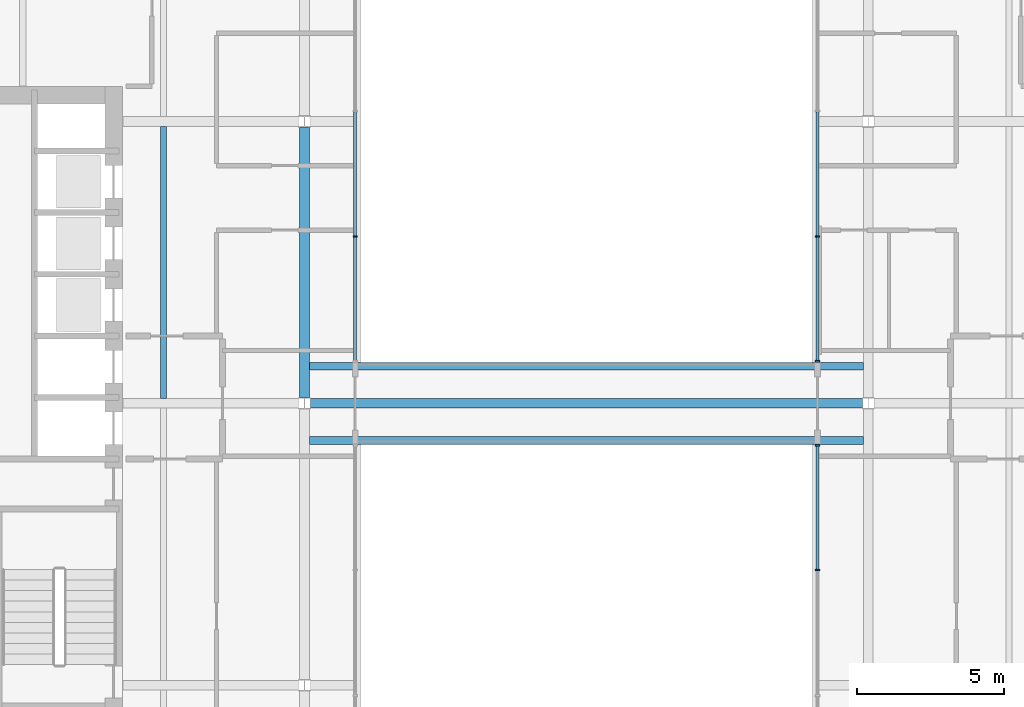
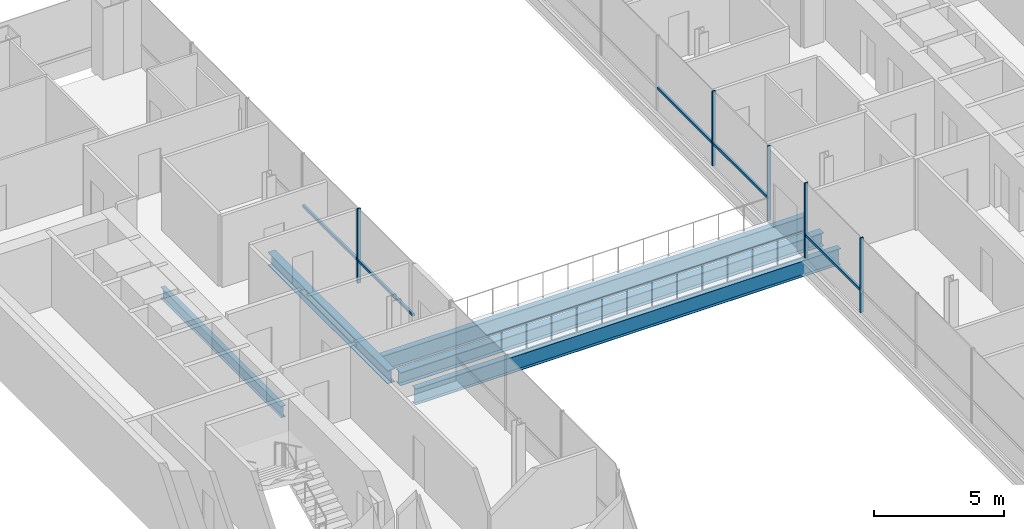
# One storey, part 4 of 16: 10 members, 5 beams, 3 elements without a shape of their own.
"""IFC4 building model written with IfcOpenShell, lengths in metres."""

from ifc_helpers import new_model, si_unit, direction, frame, origin, origin_2d, place, context, subcontext, project, spatial, rectangle, i_section, extrude, material, material_profile, profile_set, type_object, element, aggregate, save


model = new_model("IFC4")

# Units and contexts
model_context = context("Model", 3, precision=1e-05, world=origin(), true_north=direction((0.0, 1.0)))
body_context = subcontext(model_context, "Body", "Model", "MODEL_VIEW")
ifc_project = project(units=[si_unit("LENGTHUNIT", "METRE"), si_unit("AREAUNIT", "SQUARE_METRE"), si_unit("VOLUMEUNIT", "CUBIC_METRE"), si_unit("PLANEANGLEUNIT", "RADIAN"), si_unit("MASSUNIT", "GRAM", prefix="KILO")], contexts=[model_context])

# Site, building, storey
site_placement = place(None, origin())
site = spatial("IfcSite", under=ifc_project, at=site_placement, CompositionType="ELEMENT")
building_placement = place(site_placement, origin())
building = spatial("IfcBuilding", under=site, at=building_placement, Name="Cobrizo Arcos Hotel Tower", CompositionType="ELEMENT")
storey_placement = place(building_placement, frame((0.0, 0.0, 120.5)))
storey = spatial("IfcBuildingStorey", under=building, at=storey_placement, Name="L30", CompositionType="ELEMENT", Elevation=120.5)

# Curtain wall, members
ifc_material_1 = material(Name="Aluminium 6063-T6 anodised bronze", Category="aluminium")
curtain_wall_type = type_object("IfcCurtainWallType", Name="CW-F void screen", PredefinedType="NOTDEFINED", material=ifc_material_1)
curtain_wall_1_placement = place(storey_placement, origin())
curtain_wall_1 = element("IfcCurtainWall", 1, at=curtain_wall_1_placement, inside=storey, type_object=curtain_wall_type, Name="CW-F L30 void screen B", PredefinedType="NOTDEFINED")
ifc_material_profile_1 = material_profile(ifc_material_1, rectangle(XDim=0.14990234375, YDim=0.06005859375, at=origin_2d()), Name="CW-F mullion 150x60")
ifc_profile_set_1 = profile_set([ifc_material_profile_1], Name="Aluminium 6063-T6 anodised bronze")
member_type_1 = type_object("IfcMemberType", Name="CW-F mullion 150x60", PredefinedType="MULLION", material=ifc_profile_set_1)
member_1_placement = place(storey_placement, frame((7.875, -5.679931640625, 0.0), z_axis=(0.0, 0.0, 1.0), x_axis=(1.0, 0.0, 0.0)))
member_1 = element("IfcMember", 2, at=member_1_placement, type_object=member_type_1, Name="CW-F mullion 5", PredefinedType="MULLION", context=body_context, shape_type="SweptSolid", body=[
    extrude(rectangle(XDim=0.14990234375, YDim=0.06005859375, at=origin_2d()), origin(), (0.0, 0.0, 1.0), 3.5),
])
member_2_placement = place(storey_placement, frame((7.875, -1.429931640625, 0.0), z_axis=(0.0, 0.0, 1.0), x_axis=(1.0, 0.0, 0.0)))
member_2 = element("IfcMember", 3, at=member_2_placement, type_object=member_type_1, Name="CW-F mullion 6", PredefinedType="MULLION", context=body_context, shape_type="SweptSolid", body=[
    extrude(rectangle(XDim=0.14990234375, YDim=0.06005859375, at=origin_2d()), origin(), (0.0, 0.0, 1.0), 3.5),
])

curtain_wall_2_placement = place(storey_placement, origin())
curtain_wall_2 = element("IfcCurtainWall", 4, at=curtain_wall_2_placement, inside=storey, type_object=curtain_wall_type, Name="CW-F L30 void screen B", PredefinedType="NOTDEFINED")
member_3_placement = place(storey_placement, frame((7.875, 1.429931640625, 0.0), z_axis=(0.0, 0.0, 1.0), x_axis=(1.0, 0.0, 0.0)))
member_3 = element("IfcMember", 5, at=member_3_placement, type_object=member_type_1, Name="CW-F mullion 1", PredefinedType="MULLION", context=body_context, shape_type="SweptSolid", body=[
    extrude(rectangle(XDim=0.14990234375, YDim=0.06005859375, at=origin_2d()), origin(), (0.0, 0.0, 1.0), 3.5),
])
member_4_placement = place(storey_placement, frame((7.875, 5.679931640625, 0.0), z_axis=(0.0, 0.0, 1.0), x_axis=(1.0, 0.0, 0.0)))
member_4 = element("IfcMember", 6, at=member_4_placement, type_object=member_type_1, Name="CW-F mullion 2", PredefinedType="MULLION", context=body_context, shape_type="SweptSolid", body=[
    extrude(rectangle(XDim=0.14990234375, YDim=0.06005859375, at=origin_2d()), origin(), (0.0, 0.0, 1.0), 3.5),
])

# Curtain wall, member
curtain_wall_3_placement = place(storey_placement, origin())
curtain_wall_3 = element("IfcCurtainWall", 7, at=curtain_wall_3_placement, inside=storey, type_object=curtain_wall_type, Name="CW-F L30 void screen B", PredefinedType="NOTDEFINED")
member_5_placement = place(storey_placement, frame((-7.875, 5.679931640625, 0.0), z_axis=(0.0, 0.0, 1.0), x_axis=(-1.0, 0.0, 0.0)))
member_5 = element("IfcMember", 8, at=member_5_placement, type_object=member_type_1, Name="CW-F mullion 5", PredefinedType="MULLION", context=body_context, shape_type="SweptSolid", body=[
    extrude(rectangle(XDim=0.14990234375, YDim=0.06005859375, at=origin_2d()), origin(), (0.0, 0.0, 1.0), 3.5),
])

# Member
ifc_material_profile_2 = material_profile(ifc_material_1, rectangle(XDim=0.10009765625, YDim=0.1201171875, at=origin_2d()), Name="CW-F transom 120x100")
ifc_profile_set_2 = profile_set([ifc_material_profile_2], Name="Aluminium 6063-T6 anodised bronze")
member_type_2 = type_object("IfcMemberType", Name="CW-F transom 120x100", PredefinedType="USERDEFINED", material=ifc_profile_set_2)
member_6_placement = place(storey_placement, frame((7.875, -5.64990234375, 1.050048828125), z_axis=(0.0, 1.0, 0.0), x_axis=(-1.0, 0.0, 0.0)))
member_6 = element("IfcMember", 9, at=member_6_placement, type_object=member_type_2, Name="CW-F transom 2590", ObjectType="TRANSOM", PredefinedType="USERDEFINED", context=body_context, shape_type="SweptSolid", body=[
    extrude(rectangle(XDim=0.10009765625, YDim=0.1201171875, at=origin_2d()), origin(), (0.0, 0.0, 1.0), 4.18994140625),
])

aggregate(curtain_wall_1, [member_1, member_2, member_6])

member_7_placement = place(storey_placement, frame((7.875, 1.4599609375, 1.050048828125), z_axis=(0.0, 1.0, 0.0), x_axis=(-1.0, 0.0, 0.0)))
member_7 = element("IfcMember", 10, at=member_7_placement, type_object=member_type_2, Name="CW-F transom 2591", ObjectType="TRANSOM", PredefinedType="USERDEFINED", context=body_context, shape_type="SweptSolid", body=[
    extrude(rectangle(XDim=0.10009765625, YDim=0.1201171875, at=origin_2d()), origin(), (0.0, 0.0, 1.0), 4.18994140625),
])

member_8_placement = place(storey_placement, frame((7.875, 5.7099609375, 1.050048828125), z_axis=(0.0, 1.0, 0.0), x_axis=(-1.0, 0.0, 0.0)))
member_8 = element("IfcMember", 11, at=member_8_placement, type_object=member_type_2, Name="CW-F transom 2592", ObjectType="TRANSOM", PredefinedType="USERDEFINED", context=body_context, shape_type="SweptSolid", body=[
    extrude(rectangle(XDim=0.10009765625, YDim=0.1201171875, at=origin_2d()), origin(), (0.0, 0.0, 1.0), 4.219970703125),
])

aggregate(curtain_wall_2, [member_3, member_4, member_7, member_8])

member_9_placement = place(storey_placement, frame((-7.875, 9.929931640625, 1.050048828125), z_axis=(0.0, -1.0, 0.0), x_axis=(1.0, 0.0, 0.0)))
member_9 = element("IfcMember", 12, at=member_9_placement, type_object=member_type_2, Name="CW-F transom 2599", ObjectType="TRANSOM", PredefinedType="USERDEFINED", context=body_context, shape_type="SweptSolid", body=[
    extrude(rectangle(XDim=0.10009765625, YDim=0.1201171875, at=origin_2d()), origin(), (0.0, 0.0, 1.0), 4.219970703125),
])

member_10_placement = place(storey_placement, frame((-7.875, 5.64990234375, 1.050048828125), z_axis=(0.0, -1.0, 0.0), x_axis=(1.0, 0.0, 0.0)))
member_10 = element("IfcMember", 13, at=member_10_placement, type_object=member_type_2, Name="CW-F transom 2600", ObjectType="TRANSOM", PredefinedType="USERDEFINED", context=body_context, shape_type="SweptSolid", body=[
    extrude(rectangle(XDim=0.10009765625, YDim=0.1201171875, at=origin_2d()), origin(), (0.0, 0.0, 1.0), 4.18994140625),
])

aggregate(curtain_wall_3, [member_5, member_9, member_10])

# Beams
ifc_material_2 = material(Name="Steel ASTM A992 Grade 50", Category="steel")
ifc_material_profile_3 = material_profile(ifc_material_2, i_section(OverallWidth=0.209228515625, OverallDepth=0.533447265625, WebThickness=0.01025390625, FlangeThickness=0.015625, at=origin_2d()), Name="W21X62")
ifc_profile_set_3 = profile_set([ifc_material_profile_3], Name="Steel ASTM A992 Grade 50")
beam_type_1 = type_object("IfcBeamType", Name="W21X62 joist", PredefinedType="JOIST", material=ifc_profile_set_3)
beam_1_placement = place(storey_placement, frame((-14.39990234375, 0.163818359375, -0.416748046875), z_axis=(0.0, 1.0, 0.0), x_axis=(-1.0, 0.0, 0.0)))
element("IfcBeam", 14, at=beam_1_placement, inside=storey, type_object=beam_type_1, Name="Floor joist J1, L30, no. 005", PredefinedType="JOIST", context=body_context, shape_type="SweptSolid", body=[
    extrude(i_section(OverallWidth=0.209228515625, OverallDepth=0.533447265625, WebThickness=0.01025390625, FlangeThickness=0.015625, at=origin_2d()), origin(), (0.0, 0.0, 1.0), 9.272216796875),
])
ifc_material_profile_4 = material_profile(ifc_material_2, i_section(OverallWidth=0.32763671875, OverallDepth=0.622314453125, WebThickness=0.015380859375, FlangeThickness=0.0244140625, at=origin_2d()), Name="W24X131")
ifc_profile_set_4 = profile_set([ifc_material_profile_4], Name="Steel ASTM A992 Grade 50")
beam_type_2 = type_object("IfcBeamType", Name="W24X131 girder", PredefinedType="BEAM", material=ifc_profile_set_4)
beam_2_placement = place(storey_placement, frame((-9.400634765625, 0.0, -0.461181640625), z_axis=(1.0, 0.0, 0.0), x_axis=(0.0, 1.0, 0.0)))
element("IfcBeam", 15, at=beam_2_placement, inside=storey, type_object=beam_type_2, Name="Floor girder G1, L30, no. 006", PredefinedType="BEAM", context=body_context, shape_type="SweptSolid", body=[
    extrude(i_section(OverallWidth=0.32763671875, OverallDepth=0.622314453125, WebThickness=0.015380859375, FlangeThickness=0.0244140625, at=origin_2d()), origin(), (0.0, 0.0, 1.0), 18.80126953125),
])
beam_3_placement = place(storey_placement, frame((-9.60009765625, 0.199462890625, -0.461181640625), z_axis=(0.0, 1.0, 0.0), x_axis=(-1.0, 0.0, 0.0)))
element("IfcBeam", 16, at=beam_3_placement, inside=storey, type_object=beam_type_2, Name="Floor girder G1, L30, no. 014", PredefinedType="BEAM", context=body_context, shape_type="SweptSolid", body=[
    extrude(i_section(OverallWidth=0.32763671875, OverallDepth=0.622314453125, WebThickness=0.015380859375, FlangeThickness=0.0244140625, at=origin_2d()), origin(), (0.0, 0.0, 1.0), 9.201171875),
])
ifc_material_profile_5 = material_profile(ifc_material_2, i_section(OverallWidth=0.2666015625, OverallDepth=0.7568359375, WebThickness=0.013916015625, FlangeThickness=0.019287109375, at=origin_2d()), Name="W30X108")
ifc_profile_set_5 = profile_set([ifc_material_profile_5], Name="Steel ASTM A992 Grade 50")
beam_type_3 = type_object("IfcBeamType", Name="W30X108 bridge girder", PredefinedType="BEAM", material=ifc_profile_set_5)
for number, where, z_axis, x_axis, name in (
    (17, (-9.43603515625, -1.2666015625, -0.528564453125), (1.0, 0.0, 0.0), (0.0, 1.0, 0.0), "Bridge girder BG1, L30, no. 001"),
    (18, (-9.43603515625, 1.2666015625, -0.528564453125), (1.0, 0.0, 0.0), (0.0, 1.0, 0.0), "Bridge girder BG1, L30, no. 002"),
):
    element("IfcBeam", number, at=place(storey_placement, frame(where, z_axis=z_axis, x_axis=x_axis)), inside=storey, type_object=beam_type_3, Name=name, PredefinedType="BEAM", context=body_context, shape_type="SweptSolid", body=[
        extrude(i_section(OverallWidth=0.2666015625, OverallDepth=0.7568359375, WebThickness=0.013916015625, FlangeThickness=0.019287109375, at=origin_2d()), origin(), (0.0, 0.0, 1.0), 18.8720703125),
    ])

save(model, "model.ifc")
